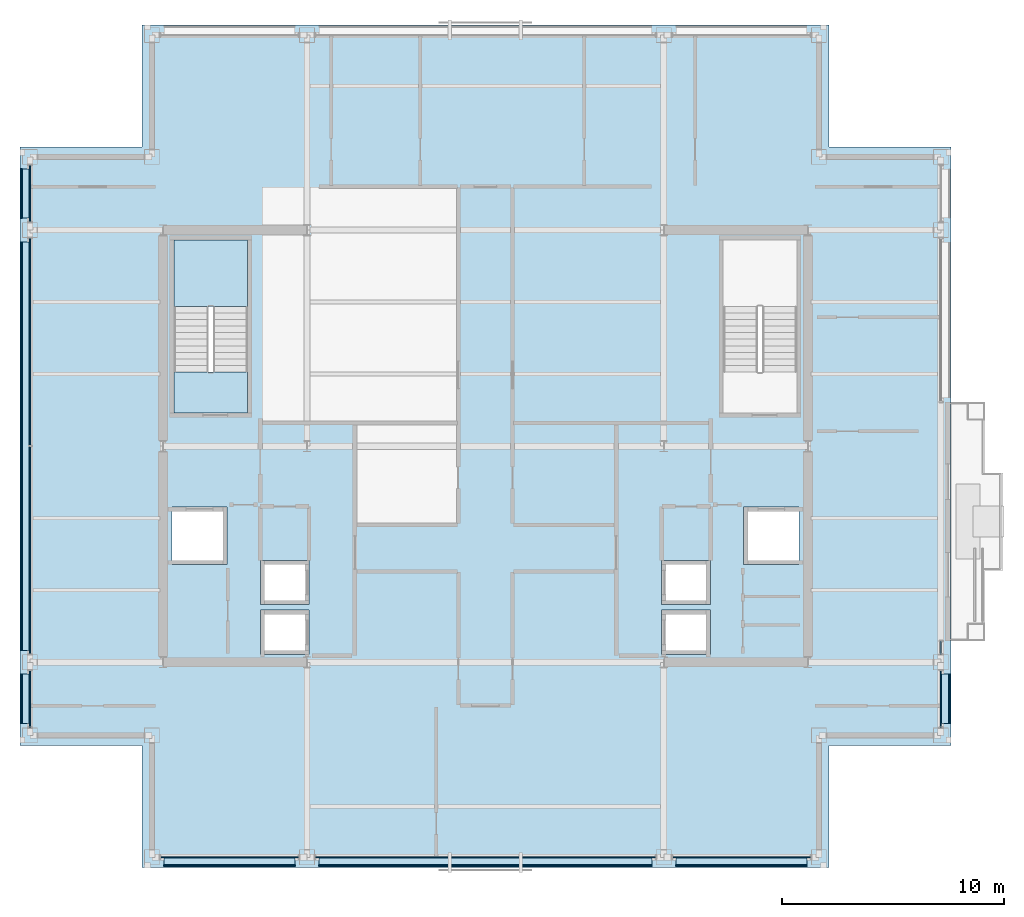
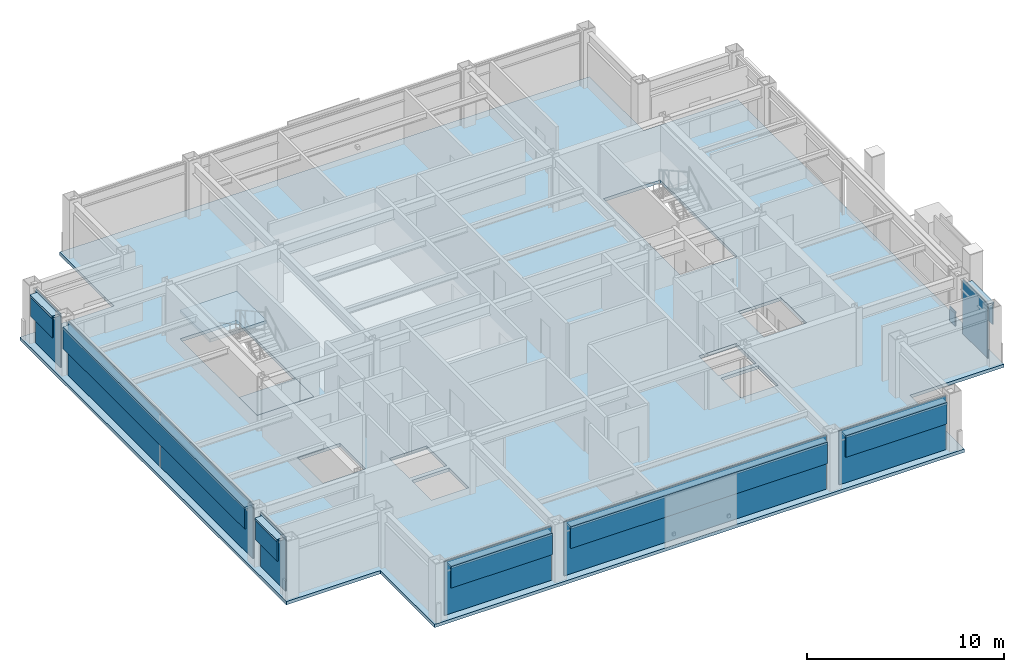
# One storey, part 23 of 30: 23 plates, 3 slabs, 1 member, 9 elements without a shape of their own.
"""IFC4 building model written with IfcOpenShell, lengths in metres."""

import ifcopenshell
import ifcopenshell.guid

model = None  # the IFC model being written
_history = None  # IfcOwnerHistory: only IFC2X3 demands one
_inside = {}  # id of a spatial element -> (the spatial element, [elements in it])
_under = {}  # id of a project, library or spatial element -> (it, [spatial elements below it])
_declared = {}  # id of a project -> (the project, [libraries it declares])
_typed = {}  # id of a type object -> (the type object, [elements of that type])
_made_of = {}  # id of a material, layer set ... -> (it, [elements and type objects made of it])


def new_model(schema):
    """Start an empty IFC model of exactly this schema.

    Asked for "IFC4X3", IfcOpenShell would pick the latest addendum, in which some entities
    have other attributes; the version numbers below select the first issue.
    IFC2X3 requires an IfcOwnerHistory on every rooted entity: one is made here for all.
    """
    global model, _history
    if schema == "IFC4X3":
        model = ifcopenshell.file(schema_version=(4, 3, 0, 0))
    else:
        model = ifcopenshell.file(schema=schema)
    _inside.clear()
    _under.clear()
    _declared.clear()
    _typed.clear()
    _made_of.clear()
    _history = None
    if model.schema == "IFC2X3":
        org = make("IfcOrganization", Name="unknown")
        user = make(
            "IfcPersonAndOrganization",
            ThePerson=make("IfcPerson", FamilyName="unknown"),
            TheOrganization=org,
        )
        app = make(
            "IfcApplication",
            ApplicationDeveloper=org,
            Version="unknown",
            ApplicationFullName="unknown",
            ApplicationIdentifier="unknown",
        )
        _history = make(
            "IfcOwnerHistory",
            OwningUser=user,
            OwningApplication=app,
            ChangeAction="ADDED",
            CreationDate=0,
        )
    return model


def make(cls, **values):
    """One entity of the class cls with the attributes given. An attribute that is None is left unset."""
    return model.create_entity(
        cls, **{name: value for name, value in values.items() if value is not None}
    )


def rooted(cls, **values):
    """An entity with a GlobalId (a new one), such as an element, a storey or a relation."""
    return make(cls, GlobalId=ifcopenshell.guid.new(), OwnerHistory=_history, **values)


def si_unit(unit_type, name, prefix=None):
    """IfcSIUnit, for example si_unit("LENGTHUNIT", "METRE", prefix="MILLI")."""
    return make("IfcSIUnit", UnitType=unit_type, Prefix=prefix, Name=name)


def assignment(units):
    """IfcUnitAssignment: the units of a project."""
    return None if units is None else make("IfcUnitAssignment", Units=units)


def point(xyz):
    """IfcCartesianPoint."""
    return None if xyz is None else make("IfcCartesianPoint", Coordinates=xyz)


def direction(xyz):
    """IfcDirection."""
    return None if xyz is None else make("IfcDirection", DirectionRatios=xyz)


def frame(location, z_axis=None, x_axis=None):
    """IfcAxis2Placement3D, a coordinate frame: its origin and axes. An axis left out is left unset."""
    return make(
        "IfcAxis2Placement3D",
        Location=point(location),
        Axis=direction(z_axis),
        RefDirection=direction(x_axis),
    )


def frame_2d(location, x_axis=None):
    """IfcAxis2Placement2D, a coordinate frame in the plane: its origin and x axis."""
    return make(
        "IfcAxis2Placement2D", Location=point(location), RefDirection=direction(x_axis)
    )


def origin():
    """The frame at (0, 0, 0) with its axes left unset."""
    return frame((0.0, 0.0, 0.0))


def origin_2d():
    """The frame at (0, 0) in the plane with its x axis left unset."""
    return frame_2d((0.0, 0.0))


def place(relative_to, where):
    """IfcLocalPlacement: puts the frame where relative to a parent placement (None: the world)."""
    return make(
        "IfcLocalPlacement", PlacementRelTo=relative_to, RelativePlacement=where
    )


def context(
    kind, dimensions, precision=None, world=None, true_north=None, identifier=None
):
    """IfcGeometricRepresentationContext, for example the 3D "Model" context."""
    return make(
        "IfcGeometricRepresentationContext",
        ContextIdentifier=identifier,
        ContextType=kind,
        CoordinateSpaceDimension=dimensions,
        Precision=precision,
        WorldCoordinateSystem=world,
        TrueNorth=true_north,
    )


def subcontext(parent, identifier, kind, view, scale=None):
    """IfcGeometricRepresentationSubContext, for example "Body" below "Model"."""
    return make(
        "IfcGeometricRepresentationSubContext",
        ContextIdentifier=identifier,
        ContextType=kind,
        ParentContext=parent,
        TargetScale=scale,
        TargetView=view,
    )


def project(units=None, contexts=None):
    """IfcProject with its units and contexts."""
    return rooted(
        "IfcProject",
        Name="project",
        RepresentationContexts=contexts,
        UnitsInContext=assignment(units),
    )


def spatial(cls, under=None, at=None, **own):
    """A site, building, storey or space (cls), placed at a placement, below another one or the project."""
    s = rooted(cls, ObjectPlacement=at, **own)
    if under is not None:
        _under.setdefault(under.id(), (under, []))[1].append(s)
    return s


def polyline(points):
    """IfcPolyline through the points."""
    return make("IfcPolyline", Points=[point(p) for p in points])


def profile(cls, at=None, kind="AREA", **sizes):
    """A parametric profile (cls). Its sizes go by their IFC names, for example OverallWidth=200.0."""
    return make(cls, ProfileType=kind, Position=at, **sizes)


def rectangle(**sizes):
    """IfcRectangleProfileDef."""
    return profile("IfcRectangleProfileDef", **sizes)


def hollow_rectangle(**sizes):
    """IfcRectangleHollowProfileDef."""
    return profile("IfcRectangleHollowProfileDef", **sizes)


def outline(outer, holes=None, kind="AREA"):
    """IfcArbitraryClosedProfileDef: a profile drawn as a closed curve; with holes, ...WithVoids."""
    if holes is None:
        return make("IfcArbitraryClosedProfileDef", ProfileType=kind, OuterCurve=outer)
    return make(
        "IfcArbitraryProfileDefWithVoids",
        ProfileType=kind,
        OuterCurve=outer,
        InnerCurves=holes,
    )


def extrude(swept, where, along, depth):
    """IfcExtrudedAreaSolid: the profile swept, set in the frame where, extruded along a direction by depth."""
    return make(
        "IfcExtrudedAreaSolid",
        SweptArea=swept,
        Position=where,
        ExtrudedDirection=direction(along),
        Depth=depth,
    )


def shape(context_of_items, identifier, shape_type, items):
    """IfcShapeRepresentation: the items that make up one representation, for example the "Body"."""
    return make(
        "IfcShapeRepresentation",
        ContextOfItems=context_of_items,
        RepresentationIdentifier=identifier,
        RepresentationType=shape_type,
        Items=items,
    )


def material(Name=None, Category=None):
    """IfcMaterial."""
    return make("IfcMaterial", Name=Name, Category=Category)


def layer(
    of_material, thickness, ventilated=None, Name=None, Category=None, Priority=None
):
    """IfcMaterialLayer: one layer of a wall or slab, of a material (None: an air gap)."""
    return make(
        "IfcMaterialLayer",
        Material=of_material,
        LayerThickness=thickness,
        IsVentilated=ventilated,
        Name=Name,
        Category=Category,
        Priority=Priority,
    )


def layer_set(layers, Name=None):
    """IfcMaterialLayerSet."""
    return make("IfcMaterialLayerSet", MaterialLayers=layers, LayerSetName=Name)


def material_profile(
    of_material, cross_section, Name=None, Category=None, Priority=None
):
    """IfcMaterialProfile: a cross section and its material."""
    return make(
        "IfcMaterialProfile",
        Name=Name,
        Material=of_material,
        Profile=cross_section,
        Priority=Priority,
        Category=Category,
    )


def profile_set(profiles, Name=None, composite=None):
    """IfcMaterialProfileSet."""
    return make(
        "IfcMaterialProfileSet",
        Name=Name,
        MaterialProfiles=profiles,
        CompositeProfile=composite,
    )


def made_of(thing, what):
    """Note that an element or type object is made of a material, layer set ...; save() writes the relation."""
    if what is not None:
        _made_of.setdefault(what.id(), (what, []))[1].append(thing)
    return thing


def type_object(cls, material=None, **own):
    """A type object (cls), such as IfcWallType, which elements share."""
    return made_of(rooted(cls, **own), material)


def element(
    cls,
    number,
    at=None,
    inside=None,
    cuts=None,
    type_object=None,
    material=None,
    context=None,
    identifier="Body",
    shape_type=None,
    held_by="IfcProductDefinitionShape",
    body=None,
    shapes=None,
    **own,
):
    """One element of the class cls, such as IfcWall. Its Tag is "e" and its number.

    at: its placement. inside: the storey or other place that contains it. cuts: it is an
    opening in that element (IfcRelVoidsElement). A single representation is given by context,
    identifier, shape_type and body (its items); several are given by shapes. held_by: the class
    of the entity that holds the representations. save() writes the other relations.
    """
    e = rooted(cls, Tag="e%d" % number, ObjectPlacement=at, **own)
    if body is not None:
        shapes = [shape(context, identifier, shape_type, body)]
    if shapes is not None:
        e.Representation = make(held_by, Representations=shapes)
    if inside is not None:
        _inside.setdefault(inside.id(), (inside, []))[1].append(e)
    if cuts is not None:
        rooted(
            "IfcRelVoidsElement", RelatingBuildingElement=cuts, RelatedOpeningElement=e
        )
    if type_object is not None:
        _typed.setdefault(type_object.id(), (type_object, []))[1].append(e)
    return made_of(e, material)


def aggregate(whole, parts):
    """IfcRelAggregates: a whole, such as a stair, and the parts it consists of."""
    return rooted("IfcRelAggregates", RelatingObject=whole, RelatedObjects=parts)


def save(model, path):
    """Write the relations noted so far, then the file.

    IfcRelAggregates (storeys below a building ...), IfcRelContainedInSpatialStructure (elements
    in a storey), IfcRelDefinesByType, IfcRelAssociatesMaterial and IfcRelDeclares: one each for
    every whole, place, type object, material and project.
    """
    for whole, parts in _under.values():
        aggregate(whole, parts)
    for where, things in _inside.values():
        rooted(
            "IfcRelContainedInSpatialStructure",
            RelatedElements=things,
            RelatingStructure=where,
        )
    for kind, things in _typed.values():
        rooted("IfcRelDefinesByType", RelatedObjects=things, RelatingType=kind)
    for what, things in _made_of.values():
        rooted("IfcRelAssociatesMaterial", RelatedObjects=things, RelatingMaterial=what)
    for by, libraries in _declared.values():
        rooted("IfcRelDeclares", RelatingContext=by, RelatedDefinitions=libraries)
    model.write(path)


model = new_model("IFC4")

# Units and contexts
model_context = context("Model", 3, precision=1e-05, world=origin(), true_north=direction((0.0, 1.0)))
body_context = subcontext(model_context, "Body", "Model", "MODEL_VIEW")
ifc_project = project(units=[si_unit("LENGTHUNIT", "METRE"), si_unit("AREAUNIT", "SQUARE_METRE"), si_unit("VOLUMEUNIT", "CUBIC_METRE"), si_unit("PLANEANGLEUNIT", "RADIAN"), si_unit("MASSUNIT", "GRAM", prefix="KILO")], contexts=[model_context])

# Site, building, storey
site_placement = place(None, origin())
site = spatial("IfcSite", under=ifc_project, at=site_placement, CompositionType="ELEMENT")
building_placement = place(site_placement, origin())
building = spatial("IfcBuilding", under=site, at=building_placement, Name="Brelmoor Portico Tower", CompositionType="ELEMENT")
storey_placement = place(building_placement, frame((0.0, 0.0, 198.300048828125)))
storey = spatial("IfcBuildingStorey", under=building, at=storey_placement, Name="L52", CompositionType="ELEMENT", Elevation=198.300048828125)

# Curtain wall, member
ifc_material_1 = material(Name="Anodised Aluminium Alloy 6063-T6", Category="aluminium")
ifc_layer_1 = layer(ifc_material_1, 0.179931640625)
ifc_layer_set_1 = layer_set([ifc_layer_1], Name="Anodised Aluminium Alloy 6063-T6")
curtain_wall_type_1 = type_object("IfcCurtainWallType", Name="CW-TOWER-Z3", PredefinedType="NOTDEFINED", material=ifc_layer_set_1)
curtain_wall_1_placement = place(storey_placement, origin())
curtain_wall_1 = element("IfcCurtainWall", 1, at=curtain_wall_1_placement, inside=storey, type_object=curtain_wall_type_1, Name="L52 Curtain Wall CW-L52-4L-2", PredefinedType="NOTDEFINED")
ifc_material_profile = material_profile(ifc_material_1, hollow_rectangle(XDim=0.06005859375, YDim=0.125, WallThickness=0.00341796875, at=origin_2d()), Name="ALU TRANSOM 60x125")
ifc_profile_set = profile_set([ifc_material_profile], Name="Anodised Aluminium Alloy 6063-T6")
member_type = type_object("IfcMemberType", Name="MB-CW-TRAN-125", PredefinedType="USERDEFINED", material=ifc_profile_set)
member_placement = place(storey_placement, frame((20.550048828125, -9.389892578125, 0.849853515625), z_axis=(0.0, 1.0, 0.0), x_axis=(-1.0, 0.0, 0.0)))
member = element("IfcMember", 2, at=member_placement, type_object=member_type, Name="CW-L52-4L-2 Transom 1-00", ObjectType="TRANSOM", PredefinedType="USERDEFINED", context=body_context, shape_type="SweptSolid", body=[
    extrude(hollow_rectangle(XDim=0.06005859375, YDim=0.125, WallThickness=0.00341796875, at=origin_2d()), origin(), (0.0, 0.0, 1.0), 0.58984375),
])

# Curtain wall, plate
ifc_layer_2 = layer(ifc_material_1, 0.179931640625)
ifc_layer_set_2 = layer_set([ifc_layer_2], Name="Anodised Aluminium Alloy 6063-T6")
curtain_wall_type_2 = type_object("IfcCurtainWallType", Name="CW-TOWER-Z3-XB", PredefinedType="NOTDEFINED", material=ifc_layer_set_2)
curtain_wall_2_placement = place(storey_placement, origin())
curtain_wall_2 = element("IfcCurtainWall", 3, at=curtain_wall_2_placement, inside=storey, type_object=curtain_wall_type_2, Name="L52 Curtain Wall CW-L52-01-1", PredefinedType="NOTDEFINED")
ifc_material_2 = material(Name="Pale Champagne Anodised Aluminium Panel", Category="aluminium")
ifc_layer_3 = layer(ifc_material_2, 0.050048828125)
ifc_layer_set_3 = layer_set([ifc_layer_3], Name="Pale Champagne Anodised Aluminium Panel")
plate_type_1 = type_object("IfcPlateType", Name="PT-CW-SPANDREL", PredefinedType="SHEET", material=ifc_layer_set_3)
plate_1_placement = place(storey_placement, frame((-11.550048828125, -18.550048828125, 0.0), z_axis=(0.0, 0.0, 1.0), x_axis=(1.0, 0.0, 0.0)))
plate_1 = element("IfcPlate", 4, at=plate_1_placement, type_object=plate_type_1, Name="CW-L52-01-1 Spandrel Panel 00", PredefinedType="SHEET", context=body_context, shape_type="SweptSolid", body=[
    extrude(rectangle(XDim=6.25, YDim=0.050048828125, at=origin_2d()), origin(), (0.0, 0.0, 1.0), 3.33740234375),
])
aggregate(curtain_wall_2, [plate_1])

curtain_wall_3_placement = place(storey_placement, origin())
curtain_wall_3 = element("IfcCurtainWall", 5, at=curtain_wall_3_placement, inside=storey, type_object=curtain_wall_type_2, Name="L52 Curtain Wall CW-L52-01-2", PredefinedType="NOTDEFINED")
plate_2_placement = place(storey_placement, frame((0.0, -18.550048828125, 0.0), z_axis=(0.0, 0.0, 1.0), x_axis=(1.0, 0.0, 0.0)))
plate_2 = element("IfcPlate", 6, at=plate_2_placement, type_object=plate_type_1, Name="CW-L52-01-2 Spandrel Panel 00", PredefinedType="SHEET", context=body_context, shape_type="SweptSolid", body=[
    extrude(rectangle(XDim=15.35009765625, YDim=0.050048828125, at=origin_2d()), origin(), (0.0, 0.0, 1.0), 3.33740234375),
])
aggregate(curtain_wall_3, [plate_2])

curtain_wall_4_placement = place(storey_placement, origin())
curtain_wall_4 = element("IfcCurtainWall", 7, at=curtain_wall_4_placement, inside=storey, type_object=curtain_wall_type_2, Name="L52 Curtain Wall CW-L52-01-3", PredefinedType="NOTDEFINED")
plate_3_placement = place(storey_placement, frame((11.550048828125, -18.550048828125, 0.0), z_axis=(0.0, 0.0, 1.0), x_axis=(1.0, 0.0, 0.0)))
plate_3 = element("IfcPlate", 8, at=plate_3_placement, type_object=plate_type_1, Name="CW-L52-01-3 Spandrel Panel 00", PredefinedType="SHEET", context=body_context, shape_type="SweptSolid", body=[
    extrude(rectangle(XDim=6.25, YDim=0.050048828125, at=origin_2d()), origin(), (0.0, 0.0, 1.0), 3.33740234375),
])
aggregate(curtain_wall_4, [plate_3])

curtain_wall_5_placement = place(storey_placement, origin())
curtain_wall_5 = element("IfcCurtainWall", 9, at=curtain_wall_5_placement, inside=storey, type_object=curtain_wall_type_2, Name="L52 Curtain Wall CW-L52-03-1", PredefinedType="NOTDEFINED")
plate_4_placement = place(storey_placement, frame((-20.550048828125, -11.39990234375, 0.0), z_axis=(0.0, 0.0, 1.0), x_axis=(0.0, 1.0, 0.0)))
plate_4 = element("IfcPlate", 10, at=plate_4_placement, type_object=plate_type_1, Name="CW-L52-03-1 Spandrel Panel 00", PredefinedType="SHEET", context=body_context, shape_type="SweptSolid", body=[
    extrude(rectangle(XDim=2.550048828125, YDim=0.050048828125, at=origin_2d()), origin(), (0.0, 0.0, 1.0), 3.33740234375),
])
aggregate(curtain_wall_5, [plate_4])

# Curtain wall, plates
curtain_wall_6_placement = place(storey_placement, origin())
curtain_wall_6 = element("IfcCurtainWall", 11, at=curtain_wall_6_placement, inside=storey, type_object=curtain_wall_type_2, Name="L52 Curtain Wall CW-L52-03-2", PredefinedType="NOTDEFINED")
plate_5_placement = place(storey_placement, frame((-20.550048828125, -4.695068359375, 0.0), z_axis=(0.0, 0.0, 1.0), x_axis=(0.0, 1.0, 0.0)))
plate_5 = element("IfcPlate", 12, at=plate_5_placement, type_object=plate_type_1, Name="CW-L52-03-2 Spandrel Panel 00", PredefinedType="SHEET", context=body_context, shape_type="SweptSolid", body=[
    extrude(rectangle(XDim=9.360107421875, YDim=0.050048828125, at=origin_2d()), origin(), (0.0, 0.0, 1.0), 3.33740234375),
])
plate_6_placement = place(storey_placement, frame((-20.550048828125, 4.695068359375, 0.0), z_axis=(0.0, 0.0, 1.0), x_axis=(0.0, 1.0, 0.0)))
plate_6 = element("IfcPlate", 13, at=plate_6_placement, type_object=plate_type_1, Name="CW-L52-03-2 Spandrel Panel 01", PredefinedType="SHEET", context=body_context, shape_type="SweptSolid", body=[
    extrude(rectangle(XDim=9.360107421875, YDim=0.050048828125, at=origin_2d()), origin(), (0.0, 0.0, 1.0), 3.33740234375),
])
aggregate(curtain_wall_6, [plate_5, plate_6])

# Curtain wall, plate
curtain_wall_7_placement = place(storey_placement, origin())
curtain_wall_7 = element("IfcCurtainWall", 14, at=curtain_wall_7_placement, inside=storey, type_object=curtain_wall_type_2, Name="L52 Curtain Wall CW-L52-03-3", PredefinedType="NOTDEFINED")
plate_7_placement = place(storey_placement, frame((-20.550048828125, 11.39990234375, 0.0), z_axis=(0.0, 0.0, 1.0), x_axis=(0.0, 1.0, 0.0)))
plate_7 = element("IfcPlate", 15, at=plate_7_placement, type_object=plate_type_1, Name="CW-L52-03-3 Spandrel Panel 00", PredefinedType="SHEET", context=body_context, shape_type="SweptSolid", body=[
    extrude(rectangle(XDim=2.550048828125, YDim=0.050048828125, at=origin_2d()), origin(), (0.0, 0.0, 1.0), 3.33740234375),
])
aggregate(curtain_wall_7, [plate_7])

curtain_wall_8_placement = place(storey_placement, origin())
curtain_wall_8 = element("IfcCurtainWall", 16, at=curtain_wall_8_placement, inside=storey, type_object=curtain_wall_type_2, Name="L52 Curtain Wall CW-L52-4L-1", PredefinedType="NOTDEFINED")
plate_8_placement = place(storey_placement, frame((20.550048828125, -11.39990234375, 0.0), z_axis=(0.0, 0.0, 1.0), x_axis=(0.0, 1.0, 0.0)))
plate_8 = element("IfcPlate", 17, at=plate_8_placement, type_object=plate_type_1, Name="CW-L52-4L-1 Spandrel Panel 00", PredefinedType="SHEET", context=body_context, shape_type="SweptSolid", body=[
    extrude(rectangle(XDim=2.550048828125, YDim=0.050048828125, at=origin_2d()), origin(), (0.0, 0.0, 1.0), 3.33740234375),
])
aggregate(curtain_wall_8, [plate_8])

# Plate
plate_9_placement = place(storey_placement, frame((20.550048828125, -9.094970703125, 0.0), z_axis=(0.0, 0.0, 1.0), x_axis=(0.0, 1.0, 0.0)))
plate_9 = element("IfcPlate", 18, at=plate_9_placement, type_object=plate_type_1, Name="CW-L52-4L-2 Spandrel Panel 00", PredefinedType="SHEET", context=body_context, shape_type="SweptSolid", body=[
    extrude(rectangle(XDim=0.56005859375, YDim=0.050048828125, at=origin_2d()), origin(), (0.0, 0.0, 1.0), 0.85009765625),
])

aggregate(curtain_wall_1, [member, plate_9])

# Plates
ifc_material_3 = material(Name="Powder-Coated Aluminium Shuttered Jalousie Louvre", Category="aluminium")
ifc_layer_4 = layer(ifc_material_3, 0.06005859375)
ifc_layer_set_4 = layer_set([ifc_layer_4], Name="Powder-Coated Aluminium Shuttered Jalousie Louvre")
plate_type_2 = type_object("IfcPlateType", Name="PT-JALOUSIE-SHUTTER", PredefinedType="SHEET", material=ifc_layer_set_4)
plate_10_placement = place(storey_placement, frame((-11.550048828125, -18.929931640625, 1.8740234375), z_axis=(0.0, 0.0, 1.0), x_axis=(1.0, 0.0, 0.0)))
element("IfcPlate", 19, at=plate_10_placement, inside=storey, type_object=plate_type_2, Name="CW-L52-01-1 Perforated Jalousie Solar Screen", PredefinedType="SHEET", context=body_context, shape_type="SweptSolid", body=[
    extrude(rectangle(XDim=5.919921875, YDim=0.06494140625, at=origin_2d()), origin(), (0.0, 0.0, 1.0), 1.325927734375),
])
plate_11_placement = place(storey_placement, frame((0.0, -18.929931640625, 1.8740234375), z_axis=(0.0, 0.0, 1.0), x_axis=(1.0, 0.0, 0.0)))
element("IfcPlate", 20, at=plate_11_placement, inside=storey, type_object=plate_type_2, Name="CW-L52-01-2 Perforated Jalousie Solar Screen", PredefinedType="SHEET", context=body_context, shape_type="SweptSolid", body=[
    extrude(rectangle(XDim=15.02001953125, YDim=0.06494140625, at=origin_2d()), origin(), (0.0, 0.0, 1.0), 1.325927734375),
])
plate_12_placement = place(storey_placement, frame((11.550048828125, -18.929931640625, 1.8740234375), z_axis=(0.0, 0.0, 1.0), x_axis=(1.0, 0.0, 0.0)))
element("IfcPlate", 21, at=plate_12_placement, inside=storey, type_object=plate_type_2, Name="CW-L52-01-3 Perforated Jalousie Solar Screen", PredefinedType="SHEET", context=body_context, shape_type="SweptSolid", body=[
    extrude(rectangle(XDim=5.919921875, YDim=0.06494140625, at=origin_2d()), origin(), (0.0, 0.0, 1.0), 1.325927734375),
])
plate_13_placement = place(storey_placement, frame((-20.929931640625, -11.39990234375, 1.8740234375), z_axis=(0.0, 0.0, 1.0), x_axis=(0.0, 1.0, 0.0)))
element("IfcPlate", 22, at=plate_13_placement, inside=storey, type_object=plate_type_2, Name="CW-L52-03-1 Perforated Jalousie Solar Screen", PredefinedType="SHEET", context=body_context, shape_type="SweptSolid", body=[
    extrude(rectangle(XDim=2.219970703125, YDim=0.06494140625, at=origin_2d()), origin(), (0.0, 0.0, 1.0), 1.325927734375),
])
plate_14_placement = place(storey_placement, frame((-20.929931640625, 0.0, 1.8740234375), z_axis=(0.0, 0.0, 1.0), x_axis=(0.0, 1.0, 0.0)))
element("IfcPlate", 23, at=plate_14_placement, inside=storey, type_object=plate_type_2, Name="CW-L52-03-2 Perforated Jalousie Solar Screen", PredefinedType="SHEET", context=body_context, shape_type="SweptSolid", body=[
    extrude(rectangle(XDim=18.419921875, YDim=0.06494140625, at=origin_2d()), origin(), (0.0, 0.0, 1.0), 1.325927734375),
])
for number, where, z_axis, x_axis, name in (
    (24, (-20.929931640625, 11.39990234375, 1.8740234375), (0.0, 0.0, 1.0), (0.0, 1.0, 0.0), "CW-L52-03-3 Perforated Jalousie Solar Screen"),
    (25, (20.929931640625, -11.39990234375, 1.8740234375), (0.0, 0.0, 1.0), (0.0, 1.0, 0.0), "CW-L52-4L-1 Perforated Jalousie Solar Screen"),
):
    element("IfcPlate", number, at=place(storey_placement, frame(where, z_axis=z_axis, x_axis=x_axis)), inside=storey, type_object=plate_type_2, Name=name, PredefinedType="SHEET", context=body_context, shape_type="SweptSolid", body=[
        extrude(rectangle(XDim=2.219970703125, YDim=0.06494140625, at=origin_2d()), origin(), (0.0, 0.0, 1.0), 1.325927734375),
    ])
ifc_material_4 = material(Name="Pale Champagne Perforated Aluminium Solar Screen", Category="aluminium")
ifc_layer_5 = layer(ifc_material_4, 0.054931640625)
ifc_layer_set_5 = layer_set([ifc_layer_5], Name="Pale Champagne Perforated Aluminium Solar Screen")
plate_type_3 = type_object("IfcPlateType", Name="PT-SOLAR-LOUVRE", PredefinedType="SHEET", material=ifc_layer_set_5)
plate_15_placement = place(storey_placement, frame((-11.550048828125, -18.760009765625, 3.08984375), z_axis=(0.0, 0.0, 1.0), x_axis=(1.0, 0.0, 0.0)))
element("IfcPlate", 26, at=plate_15_placement, inside=storey, type_object=plate_type_3, Name="CW-L52-01-1 Caribbean Brise-Soleil Solar Screen", PredefinedType="SHEET", context=body_context, shape_type="SweptSolid", body=[
    extrude(rectangle(XDim=5.919921875, YDim=0.4599609375, at=origin_2d()), origin(), (0.0, 0.0, 1.0), 0.139892578125),
])
plate_16_placement = place(storey_placement, frame((0.0, -18.760009765625, 3.08984375), z_axis=(0.0, 0.0, 1.0), x_axis=(1.0, 0.0, 0.0)))
element("IfcPlate", 27, at=plate_16_placement, inside=storey, type_object=plate_type_3, Name="CW-L52-01-2 Caribbean Brise-Soleil Solar Screen", PredefinedType="SHEET", context=body_context, shape_type="SweptSolid", body=[
    extrude(rectangle(XDim=15.02001953125, YDim=0.4599609375, at=origin_2d()), origin(), (0.0, 0.0, 1.0), 0.139892578125),
])
plate_17_placement = place(storey_placement, frame((11.550048828125, -18.760009765625, 3.08984375), z_axis=(0.0, 0.0, 1.0), x_axis=(1.0, 0.0, 0.0)))
element("IfcPlate", 28, at=plate_17_placement, inside=storey, type_object=plate_type_3, Name="CW-L52-01-3 Caribbean Brise-Soleil Solar Screen", PredefinedType="SHEET", context=body_context, shape_type="SweptSolid", body=[
    extrude(rectangle(XDim=5.919921875, YDim=0.4599609375, at=origin_2d()), origin(), (0.0, 0.0, 1.0), 0.139892578125),
])
plate_18_placement = place(storey_placement, frame((-20.760009765625, -11.39990234375, 3.08984375), z_axis=(0.0, 0.0, 1.0), x_axis=(0.0, 1.0, 0.0)))
element("IfcPlate", 29, at=plate_18_placement, inside=storey, type_object=plate_type_3, Name="CW-L52-03-1 Caribbean Brise-Soleil Solar Screen", PredefinedType="SHEET", context=body_context, shape_type="SweptSolid", body=[
    extrude(rectangle(XDim=2.219970703125, YDim=0.4599609375, at=origin_2d()), origin(), (0.0, 0.0, 1.0), 0.139892578125),
])
plate_19_placement = place(storey_placement, frame((-20.760009765625, 0.0, 3.08984375), z_axis=(0.0, 0.0, 1.0), x_axis=(0.0, 1.0, 0.0)))
element("IfcPlate", 30, at=plate_19_placement, inside=storey, type_object=plate_type_3, Name="CW-L52-03-2 Caribbean Brise-Soleil Solar Screen", PredefinedType="SHEET", context=body_context, shape_type="SweptSolid", body=[
    extrude(rectangle(XDim=18.419921875, YDim=0.4599609375, at=origin_2d()), origin(), (0.0, 0.0, 1.0), 0.139892578125),
])
for number, where, z_axis, x_axis, name in (
    (31, (-20.760009765625, 11.39990234375, 3.08984375), (0.0, 0.0, 1.0), (0.0, 1.0, 0.0), "CW-L52-03-3 Caribbean Brise-Soleil Solar Screen"),
    (32, (20.760009765625, -11.39990234375, 3.08984375), (0.0, 0.0, 1.0), (0.0, 1.0, 0.0), "CW-L52-4L-1 Caribbean Brise-Soleil Solar Screen"),
):
    element("IfcPlate", number, at=place(storey_placement, frame(where, z_axis=z_axis, x_axis=x_axis)), inside=storey, type_object=plate_type_3, Name=name, PredefinedType="SHEET", context=body_context, shape_type="SweptSolid", body=[
        extrude(rectangle(XDim=2.219970703125, YDim=0.4599609375, at=origin_2d()), origin(), (0.0, 0.0, 1.0), 0.139892578125),
    ])

# Slab
ifc_material_5 = material(Name="Concrete C40", Category="concrete")
ifc_layer_6 = layer(ifc_material_5, 0.199951171875)
ifc_layer_set_6 = layer_set([ifc_layer_6], Name="Concrete C40")
slab_type_1 = type_object("IfcSlabType", Name="SL-FLOOR-200", PredefinedType="FLOOR", material=ifc_layer_set_6)
slab_1_placement = place(storey_placement, frame((0.0, 0.0, -0.199951171875)))
element("IfcSlab", 33, at=slab_1_placement, inside=storey, type_object=slab_type_1, Name="L52 Main Structural Floor Slab", PredefinedType="FLOOR", context=body_context, shape_type="SweptSolid", body=[
    extrude(outline(polyline([(-15.5, -19.0), (15.5, -19.0), (15.5, -13.5), (21.0, -13.5), (21.0, 13.5), (15.5, 13.5), (15.5, 19.0), (-15.5, 19.0), (-15.5, 13.5), (-21.0, 13.5), (-21.0, -13.5), (-15.5, -13.5), (-15.5, -19.0)]), holes=[polyline([(-10.72998046875, 1.5), (-10.72998046875, 9.300048828125), (-14.050048828125, 9.300048828125), (-14.050048828125, 1.5), (-10.72998046875, 1.5)]), polyline([(14.050048828125, 1.5), (14.050048828125, 9.300048828125), (10.72998046875, 9.300048828125), (10.72998046875, 1.5), (14.050048828125, 1.5)]), polyline([(-10.14990234375, -9.39990234375), (-7.949951171875, -9.39990234375), (-7.949951171875, -7.39990234375), (-10.14990234375, -7.39990234375), (-10.14990234375, -9.39990234375)]), polyline([(-10.14990234375, -7.14990234375), (-7.949951171875, -7.14990234375), (-7.949951171875, -5.14990234375), (-10.14990234375, -5.14990234375), (-10.14990234375, -7.14990234375)]), polyline([(7.949951171875, -9.39990234375), (10.14990234375, -9.39990234375), (10.14990234375, -7.39990234375), (7.949951171875, -7.39990234375), (7.949951171875, -9.39990234375)]), polyline([(7.949951171875, -7.14990234375), (10.14990234375, -7.14990234375), (10.14990234375, -5.14990234375), (7.949951171875, -5.14990234375), (7.949951171875, -7.14990234375)]), polyline([(-14.14990234375, -5.35009765625), (-11.64990234375, -5.35009765625), (-11.64990234375, -2.75), (-14.14990234375, -2.75), (-14.14990234375, -5.35009765625)]), polyline([(11.64990234375, -5.35009765625), (14.14990234375, -5.35009765625), (14.14990234375, -2.75), (11.64990234375, -2.75), (11.64990234375, -5.35009765625)])]), origin(), (0.0, 0.0, 1.0), 0.199951171875),
])

# Stair, slab
stair_type = type_object("IfcStairType", Name="ST-CORE-W", PredefinedType="HALF_TURN_STAIR", material=ifc_material_5)
stair_placement = place(storey_placement, origin())
stair = element("IfcStair", 34, at=stair_placement, inside=storey, type_object=stair_type, Name="L52 Protected Core Exit Stair ST-W", PredefinedType="HALF_TURN_STAIR")
ifc_layer_7 = layer(ifc_material_5, 0.179931640625)
ifc_layer_set_7 = layer_set([ifc_layer_7], Name="Concrete C40")
slab_type_2 = type_object("IfcSlabType", Name="SL-LANDING-180", PredefinedType="LANDING", material=ifc_layer_set_7)
slab_2_placement = place(storey_placement, frame((0.0, 0.0, 1.599853515625)))
slab_2 = element("IfcSlab", 35, at=slab_2_placement, type_object=slab_type_2, Name="ST-W landing 1", PredefinedType="LANDING", context=body_context, shape_type="SweptSolid", body=[
    extrude(outline(polyline([(-10.72998046875, 6.300048828125), (-10.72998046875, 9.300048828125), (-14.050048828125, 9.300048828125), (-14.050048828125, 6.300048828125), (-10.72998046875, 6.300048828125)])), origin(), (0.0, 0.0, 1.0), 0.2001953125),
])
aggregate(stair, [slab_2])

# Slab
ifc_layer_8 = layer(ifc_material_5, 0.199951171875)
ifc_layer_set_8 = layer_set([ifc_layer_8], Name="Concrete C40")
slab_type_3 = type_object("IfcSlabType", Name="SL-STAIR-FL200", PredefinedType="LANDING", material=ifc_layer_set_8)
slab_3_placement = place(storey_placement, frame((0.0, 0.0, -0.199951171875)))
element("IfcSlab", 36, at=slab_3_placement, inside=storey, type_object=slab_type_3, Name="L52 ST-W Structural Floor Landing Slab", PredefinedType="LANDING", context=body_context, shape_type="SweptSolid", body=[
    extrude(outline(polyline([(-10.72998046875, 1.5), (-10.72998046875, 3.35009765625), (-14.050048828125, 3.35009765625), (-14.050048828125, 1.5), (-10.72998046875, 1.5)])), origin(), (0.0, 0.0, 1.0), 0.199951171875),
])

save(model, "model.ifc")
